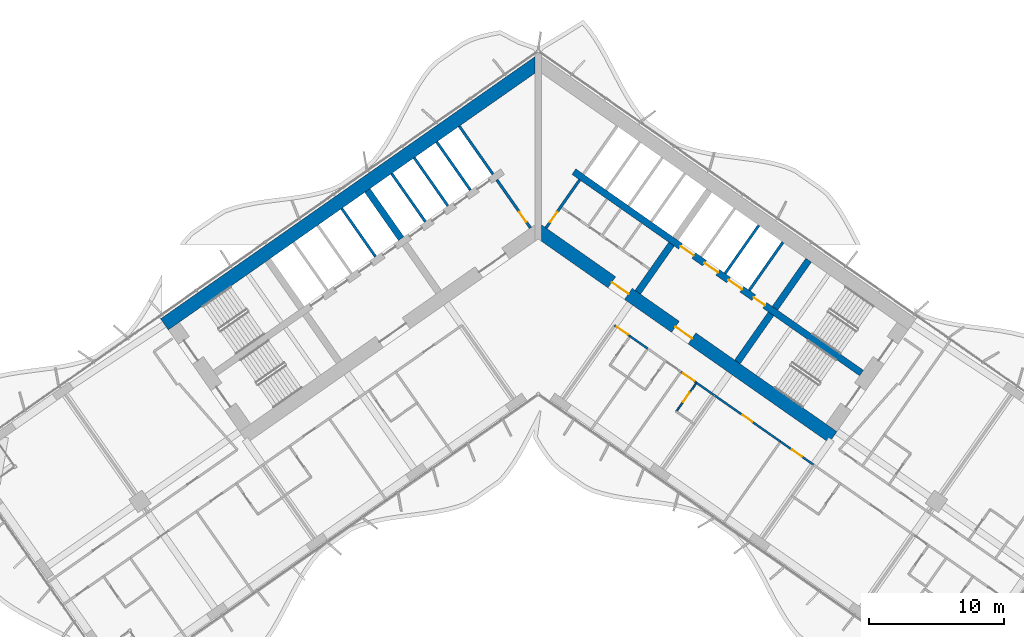
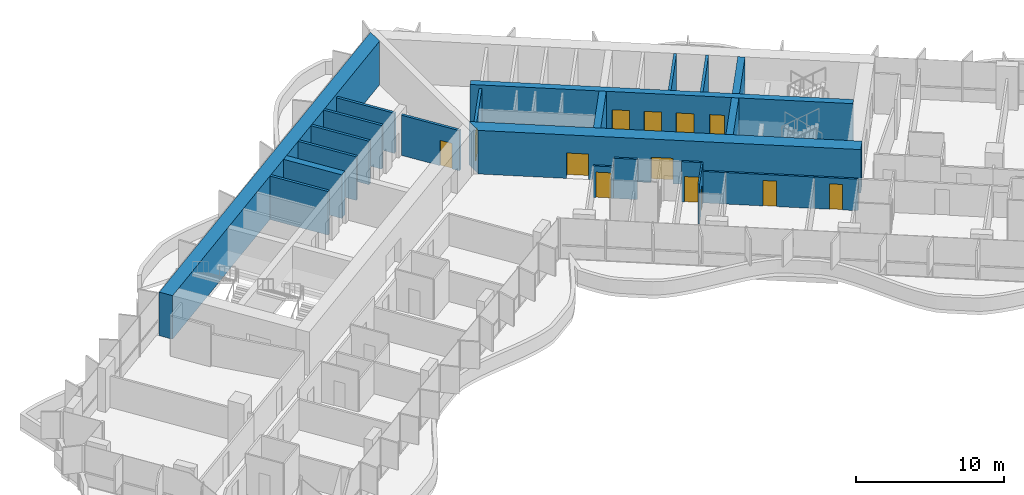
# One storey, part 14 of 23: 23 walls, 13 doors, 13 openings.
"""IFC4 building model written with IfcOpenShell, lengths in metres."""

from ifc_helpers import new_model, si_unit, direction, frame, frame_2d, origin, place, context, subcontext, project, spatial, polyline, rectangle, outline, extrude, material, layer, layer_set, type_object, element, fill, save


model = new_model("IFC4")

# Units and contexts
model_context = context("Model", 3, precision=1e-05, world=origin(), true_north=direction((0.0, 1.0)))
body_context = subcontext(model_context, "Body", "Model", "MODEL_VIEW")
ifc_project = project(units=[si_unit("LENGTHUNIT", "METRE"), si_unit("AREAUNIT", "SQUARE_METRE"), si_unit("VOLUMEUNIT", "CUBIC_METRE"), si_unit("PLANEANGLEUNIT", "RADIAN"), si_unit("MASSUNIT", "GRAM", prefix="KILO")], contexts=[model_context])

# Site, building, storey
site_placement = place(None, origin())
site = spatial("IfcSite", under=ifc_project, at=site_placement, CompositionType="ELEMENT")
building_placement = place(site_placement, origin())
building = spatial("IfcBuilding", under=site, at=building_placement, Name="Tel Ilan Convention Tower", CompositionType="ELEMENT")
storey_placement = place(building_placement, frame((0.0, 0.0, 115.699951171875)))
storey = spatial("IfcBuildingStorey", under=building, at=storey_placement, Name="L25", CompositionType="ELEMENT", Elevation=115.699951171875)

# Wall, opening, door
ifc_material_1 = material(Name="Concrete C30/37", Category="concrete")
ifc_layer_1 = layer(ifc_material_1, 0.199951171875)
ifc_layer_set_1 = layer_set([ifc_layer_1], Name="Core Service Room Wall 200 mm C30/37")
wall_type_1 = type_object("IfcWallType", Name="Core Service Room Wall 200 mm C30/37", PredefinedType="SOLIDWALL", material=ifc_layer_set_1)
wall_1_placement = place(storey_placement, frame((-0.573486328125, -0.401611328125, 0.0), z_axis=(0.0, 0.0, 1.0), x_axis=(-0.57356780395, 0.819158088694, 0.0)))
wall_1 = element("IfcWall", 1, at=wall_1_placement, inside=storey, type_object=wall_type_1, Name="L25 core wall apex-W", PredefinedType="SOLIDWALL", context=body_context, shape_type="SweptSolid", body=[
    extrude(rectangle(XDim=4.35009765625, YDim=0.199951171875, at=frame_2d((2.175048828125, 0.0))), origin(), (0.0, 0.0, 1.0), 3.320068359375),
])
opening_1_placement = place(wall_1_placement, frame((0.550048828125, 0.0, 0.0)))
opening_1 = element("IfcOpeningElement", 2, at=opening_1_placement, cuts=wall_1, Name="Opening CD2002", PredefinedType="OPENING", context=body_context, shape_type="SweptSolid", body=[
    extrude(rectangle(XDim=0.89990234375, YDim=2.10009765625, at=frame_2d((0.449951171875, 1.050048828125))), frame((0.0, 0.10986328125, 0.0), z_axis=(0.0, -1.0, 0.0), x_axis=(1.0, 0.0, 0.0)), (0.0, 0.0, 1.0), 0.219970703125),
])
ifc_material_2 = material(Name="Galvanised Steel Door Leaf", Category="steel")
door_type_1 = type_object("IfcDoorType", Name="Service Room Door 900 x 2100 FD60", OperationType="NOTDEFINED", PredefinedType="DOOR", material=ifc_material_2)
door_1_placement = place(opening_1_placement, origin())
door_1 = element("IfcDoor", 3, at=door_1_placement, inside=storey, type_object=door_type_1, Name="Riser Room door", OperationType="SINGLE_SWING_RIGHT", OverallHeight=2.10009765625, OverallWidth=0.89990234375, PredefinedType="DOOR", context=body_context, shape_type="SweptSolid", body=[
    extrude(rectangle(XDim=0.89990234375, YDim=2.10009765625, at=frame_2d((0.449951171875, 1.050048828125))), frame((0.0, 0.02490234375, 0.0), z_axis=(0.0, -1.0, 0.0), x_axis=(1.0, 0.0, 0.0)), (0.0, 0.0, 1.0), 0.050048828125),
])
fill(opening_1, door_1)

# Wall
wall_2_placement = place(storey_placement, frame((-3.355224609375, 3.5712890625, 0.0), z_axis=(0.0, 0.0, 1.0), x_axis=(-0.57356780395, 0.819158088694, 0.0)))
element("IfcWall", 4, at=wall_2_placement, inside=storey, type_object=wall_type_1, Name="L25 core wall apex-W-b", PredefinedType="SOLIDWALL", context=body_context, shape_type="SweptSolid", body=[
    extrude(rectangle(XDim=4.35009765625, YDim=0.199951171875, at=frame_2d((2.175048828125, 0.0))), origin(), (0.0, 0.0, 1.0), 3.320068359375),
])

# Wall, opening, door
wall_3_placement = place(storey_placement, frame((0.573486328125, -0.401611328125, 0.0), z_axis=(0.0, 0.0, 1.0), x_axis=(0.57356780395, 0.819158088694, 0.0)))
wall_3 = element("IfcWall", 5, at=wall_3_placement, inside=storey, type_object=wall_type_1, Name="L25 core wall apex-E", PredefinedType="SOLIDWALL", context=body_context, shape_type="SweptSolid", body=[
    extrude(rectangle(XDim=4.35009765625, YDim=0.199951171875, at=frame_2d((2.175048828125, 0.0))), origin(), (0.0, 0.0, 1.0), 3.320068359375),
])
opening_2_placement = place(wall_3_placement, frame((0.550048828125, 0.0, 0.0)))
opening_2 = element("IfcOpeningElement", 6, at=opening_2_placement, cuts=wall_3, Name="Opening CD2001", PredefinedType="OPENING", context=body_context, shape_type="SweptSolid", body=[
    extrude(rectangle(XDim=0.89990234375, YDim=2.10009765625, at=frame_2d((0.449951171875, 1.050048828125))), frame((0.0, 0.10986328125, 0.0), z_axis=(0.0, -1.0, 0.0), x_axis=(1.0, 0.0, 0.0)), (0.0, 0.0, 1.0), 0.219970703125),
])
door_2_placement = place(opening_2_placement, origin())
door_2 = element("IfcDoor", 7, at=door_2_placement, inside=storey, type_object=door_type_1, Name="Electrical Room door", OperationType="SINGLE_SWING_RIGHT", OverallHeight=2.10009765625, OverallWidth=0.89990234375, PredefinedType="DOOR", context=body_context, shape_type="SweptSolid", body=[
    extrude(rectangle(XDim=0.89990234375, YDim=2.10009765625, at=frame_2d((0.449951171875, 1.050048828125))), frame((0.0, 0.02490234375, 0.0), z_axis=(0.0, -1.0, 0.0), x_axis=(1.0, 0.0, 0.0)), (0.0, 0.0, 1.0), 0.050048828125),
])
fill(opening_2, door_2)

# Wall
ifc_material_3 = material(Name="Concrete C60/75", Category="concrete")
ifc_layer_2 = layer(ifc_material_3, 1.0)
ifc_layer_set_2 = layer_set([ifc_layer_2], Name="Core Shear Wall 1000 mm C60/75")
wall_type_2 = type_object("IfcWallType", Name="Core Shear Wall 1000 mm C60/75", PredefinedType="SHEAR", material=ifc_layer_set_2)
wall_4_placement = place(storey_placement, frame((0.036865234375, 11.8671875, 0.0), z_axis=(0.0, 0.0, 1.0), x_axis=(-0.819155306259, -0.573571777746, 0.0)))
element("IfcWall", 8, at=wall_4_placement, inside=storey, type_object=wall_type_2, Name="L25 core wall W-back", PredefinedType="SHEAR", context=body_context, shape_type="SweptSolid", body=[
    extrude(outline(polyline([(33.8369140625, 0.5), (0.7001953125, 0.499755859375), (0.0, -0.5), (33.8369140625, -0.5), (33.8369140625, 0.5)])), origin(), (0.0, 0.0, 1.0), 3.60009765625),
])

# Wall, openings, doors
wall_5_placement = place(storey_placement, frame((-0.036865234375, -0.584716796875, 0.0), z_axis=(0.0, 0.0, 1.0), x_axis=(0.819157152511, -0.573569140985, 0.0)))
wall_5 = element("IfcWall", 9, at=wall_5_placement, inside=storey, type_object=wall_type_2, Name="L25 core wall E-front", PredefinedType="SHEAR", context=body_context, shape_type="SweptSolid", body=[
    extrude(outline(polyline([(26.69482421875, 0.499755859375), (0.0, 0.5), (0.7001953125, -0.499755859375), (26.69482421875, -0.500244140625), (26.69482421875, 0.499755859375)])), origin(), (0.0, 0.0, 1.0), 3.60009765625),
])
opening_3_placement = place(wall_5_placement, frame((6.69482421875, 0.0, 0.0)))
opening_3 = element("IfcOpeningElement", 10, at=opening_3_placement, cuts=wall_5, Name="Opening CD2003", PredefinedType="OPENING", context=body_context, shape_type="SweptSolid", body=[
    extrude(rectangle(XDim=1.5, YDim=2.10009765625, at=frame_2d((0.75, 1.050048828125))), frame((0.0, 0.510009765625, 0.0), z_axis=(0.0, -1.0, 0.0), x_axis=(1.0, 0.0, 0.0)), (0.0, 0.0, 1.0), 1.02001953125),
])
opening_4_placement = place(wall_5_placement, frame((12.44482421875, 0.0, 0.0)))
opening_4 = element("IfcOpeningElement", 11, at=opening_4_placement, cuts=wall_5, Name="Opening CD2004", PredefinedType="OPENING", context=body_context, shape_type="SweptSolid", body=[
    extrude(rectangle(XDim=1.5, YDim=2.10009765625, at=frame_2d((0.75, 1.050048828125))), frame((0.0, 0.510009765625, 0.0), z_axis=(0.0, -1.0, 0.0), x_axis=(1.0, 0.0, 0.0)), (0.0, 0.0, 1.0), 1.02001953125),
])
ifc_material_4 = material(Name="Glazed Aluminium Door Leaf", Category="aluminium")
door_type_2 = type_object("IfcDoorType", Name="Lobby Opening Door 1500 x 2100 FD60S", OperationType="NOTDEFINED", PredefinedType="DOOR", material=ifc_material_4)
door_3_placement = place(opening_4_placement, origin())
door_3 = element("IfcDoor", 12, at=door_3_placement, inside=storey, type_object=door_type_2, Name="Firefighting Lobby door", OperationType="DOUBLE_DOOR_SINGLE_SWING", OverallHeight=2.10009765625, OverallWidth=1.5, PredefinedType="DOOR", context=body_context, shape_type="SweptSolid", body=[
    extrude(rectangle(XDim=1.5, YDim=2.10009765625, at=frame_2d((0.75, 1.050048828125))), frame((0.0, 0.02490234375, 0.0), z_axis=(0.0, -1.0, 0.0), x_axis=(1.0, 0.0, 0.0)), (0.0, 0.0, 1.0), 0.050048828125),
])
fill(opening_4, door_3)
ifc_material_5 = material(Name="Laminated Timber Door Leaf", Category="wood")
door_type_3 = type_object("IfcDoorType", Name="Toilet Door 1500 x 2100 FD30S", OperationType="NOTDEFINED", PredefinedType="DOOR", material=ifc_material_5)
door_4_placement = place(opening_3_placement, origin())
door_4 = element("IfcDoor", 13, at=door_4_placement, inside=storey, type_object=door_type_3, Name="WC Lobby door", OperationType="SINGLE_SWING_RIGHT", OverallHeight=2.10009765625, OverallWidth=1.5, PredefinedType="DOOR", context=body_context, shape_type="SweptSolid", body=[
    extrude(rectangle(XDim=1.5, YDim=2.10009765625, at=frame_2d((0.75, 1.050048828125))), frame((0.0, 0.02490234375, 0.0), z_axis=(0.0, -1.0, 0.0), x_axis=(1.0, 0.0, 0.0)), (0.0, 0.0, 1.0), 0.050048828125),
])
fill(opening_3, door_4)

# Walls
ifc_material_6 = material(Name="Concrete C60/75", Category="concrete")
ifc_layer_3 = layer(ifc_material_6, 0.5)
ifc_layer_set_3 = layer_set([ifc_layer_3], Name="Core Shear Wall 500 mm C60/75")
wall_type_3 = type_object("IfcWallType", Name="Core Shear Wall 500 mm C60/75", PredefinedType="SHEAR", material=ifc_layer_set_3)
wall_6_placement = place(storey_placement, frame((-10.154296875, -1.189208984375, 0.0), z_axis=(0.0, 0.0, 1.0), x_axis=(-0.573594173421, 0.819139624372, 0.0)))
element("IfcWall", 14, at=wall_6_placement, inside=storey, type_object=wall_type_3, Name="L25 core wall W-cross1-2", PredefinedType="SHEAR", context=body_context, shape_type="SweptSolid", body=[
    extrude(outline(polyline([(4.349853515625, -0.25), (4.349853515625, 0.25), (-0.000244140625, 0.25), (-0.000244140625, -0.25), (4.349853515625, -0.25)])), origin(), (0.0, 0.0, 1.0), 3.60009765625),
])
wall_7_placement = place(storey_placement, frame((7.372314453125, -5.162109375, 0.0), z_axis=(0.0, 0.0, 1.0), x_axis=(0.573594173421, 0.819139624372, 0.0)))
element("IfcWall", 15, at=wall_7_placement, inside=storey, type_object=wall_type_3, Name="L25 core wall E-cross1-1", PredefinedType="SHEAR", context=body_context, shape_type="SweptSolid", body=[
    extrude(outline(polyline([(0.0, 0.25), (0.0, -0.250244140625), (4.349853515625, -0.25), (4.349853515625, 0.25), (0.0, 0.25)])), origin(), (0.0, 0.0, 1.0), 3.60009765625),
])
wall_8_placement = place(storey_placement, frame((14.74462890625, -10.324462890625, 0.0), z_axis=(0.0, 0.0, 1.0), x_axis=(0.57356780395, 0.819158088694, 0.0)))
element("IfcWall", 16, at=wall_8_placement, inside=storey, type_object=wall_type_3, Name="L25 core wall E-cross2-1", PredefinedType="SHEAR", context=body_context, shape_type="SweptSolid", body=[
    extrude(outline(polyline([(0.0, 0.25), (0.0, -0.25), (4.35009765625, -0.250244140625), (4.35009765625, 0.25), (0.0, 0.25)])), origin(), (0.0, 0.0, 1.0), 3.60009765625),
])
wall_9_placement = place(storey_placement, frame((17.526611328125, -6.3515625, 0.0), z_axis=(0.0, 0.0, 1.0), x_axis=(0.573530143085, 0.819184457233, 0.0)))
element("IfcWall", 17, at=wall_9_placement, inside=storey, type_object=wall_type_3, Name="L25 core wall E-cross2-2", PredefinedType="SHEAR", context=body_context, shape_type="SweptSolid", body=[
    extrude(outline(polyline([(4.35009765625, -0.250244140625), (4.35009765625, 0.249755859375), (0.0, 0.25), (0.0, -0.25), (4.35009765625, -0.250244140625)])), origin(), (0.0, 0.0, 1.0), 3.60009765625),
])

# Wall, openings, doors
wall_10_placement = place(storey_placement, frame((2.638427734375, 3.76806640625, 0.0), z_axis=(0.0, 0.0, 1.0), x_axis=(0.819148977158, -0.573580816643, 0.0)))
wall_10 = element("IfcWall", 18, at=wall_10_placement, inside=storey, type_object=wall_type_3, Name="L25 core wall E-spine", PredefinedType="SHEAR", context=body_context, shape_type="SweptSolid", body=[
    extrude(outline(polyline([(0.0, 0.25), (0.0, -0.25), (26.0, -0.249755859375), (26.0, 0.250244140625), (0.0, 0.25)])), origin(), (0.0, 0.0, 1.0), 3.60009765625),
])
opening_5_placement = place(wall_10_placement, frame((9.637451171875, 0.0, 0.0)))
opening_5 = element("IfcOpeningElement", 19, at=opening_5_placement, cuts=wall_10, Name="Opening LD2001", PredefinedType="OPENING", context=body_context, shape_type="SweptSolid", body=[
    extrude(rectangle(XDim=1.199951171875, YDim=2.10009765625, at=frame_2d((0.60009765625, 1.050048828125))), frame((0.0, 0.260009765625, 0.0), z_axis=(0.0, -1.0, 0.0), x_axis=(1.0, 0.0, 0.0)), (0.0, 0.0, 1.0), 0.52001953125),
])
opening_6_placement = place(wall_10_placement, frame((11.8125, 0.0, 0.0)))
opening_6 = element("IfcOpeningElement", 20, at=opening_6_placement, cuts=wall_10, Name="Opening LD2002", PredefinedType="OPENING", context=body_context, shape_type="SweptSolid", body=[
    extrude(rectangle(XDim=1.199951171875, YDim=2.10009765625, at=frame_2d((0.60009765625, 1.050048828125))), frame((0.0, 0.260009765625, 0.0), z_axis=(0.0, -1.0, 0.0), x_axis=(1.0, 0.0, 0.0)), (0.0, 0.0, 1.0), 0.52001953125),
])
opening_7_placement = place(wall_10_placement, frame((13.987548828125, 0.0, 0.0)))
opening_7 = element("IfcOpeningElement", 21, at=opening_7_placement, cuts=wall_10, Name="Opening LD2003", PredefinedType="OPENING", context=body_context, shape_type="SweptSolid", body=[
    extrude(rectangle(XDim=1.199951171875, YDim=2.10009765625, at=frame_2d((0.60009765625, 1.050048828125))), frame((0.0, 0.260009765625, 0.0), z_axis=(0.0, -1.0, 0.0), x_axis=(1.0, 0.0, 0.0)), (0.0, 0.0, 1.0), 0.52001953125),
])
opening_8_placement = place(wall_10_placement, frame((16.262451171875, 0.0, 0.0)))
opening_8 = element("IfcOpeningElement", 22, at=opening_8_placement, cuts=wall_10, Name="Opening CD2007", PredefinedType="OPENING", context=body_context, shape_type="SweptSolid", body=[
    extrude(rectangle(XDim=1.0, YDim=2.10009765625, at=frame_2d((0.5, 1.050048828125))), frame((0.0, 0.260009765625, 0.0), z_axis=(0.0, -1.0, 0.0), x_axis=(1.0, 0.0, 0.0)), (0.0, 0.0, 1.0), 0.52001953125),
])
ifc_material_7 = material(Name="Stainless Steel Sliding Door Leaf", Category="steel")
door_type_4 = type_object("IfcDoorType", Name="Lift Landing Door 1200 x 2100 FD120", OperationType="NOTDEFINED", PredefinedType="DOOR", material=ifc_material_7)
door_5_placement = place(opening_5_placement, origin())
door_5 = element("IfcDoor", 23, at=door_5_placement, inside=storey, type_object=door_type_4, Name="Lift FL1 landing door", OperationType="SLIDING_TO_LEFT", OverallHeight=2.10009765625, OverallWidth=1.199951171875, PredefinedType="DOOR", context=body_context, shape_type="SweptSolid", body=[
    extrude(rectangle(XDim=1.199951171875, YDim=2.10009765625, at=frame_2d((0.60009765625, 1.050048828125))), frame((0.0, 0.02490234375, 0.0), z_axis=(0.0, -1.0, 0.0), x_axis=(1.0, 0.0, 0.0)), (0.0, 0.0, 1.0), 0.050048828125),
])
fill(opening_5, door_5)
door_6_placement = place(opening_6_placement, origin())
door_6 = element("IfcDoor", 24, at=door_6_placement, inside=storey, type_object=door_type_4, Name="Lift FL2 landing door", OperationType="SLIDING_TO_RIGHT", OverallHeight=2.10009765625, OverallWidth=1.199951171875, PredefinedType="DOOR", context=body_context, shape_type="SweptSolid", body=[
    extrude(rectangle(XDim=1.199951171875, YDim=2.10009765625, at=frame_2d((0.60009765625, 1.050048828125))), frame((0.0, 0.02490234375, 0.0), z_axis=(0.0, -1.0, 0.0), x_axis=(1.0, 0.0, 0.0)), (0.0, 0.0, 1.0), 0.050048828125),
])
fill(opening_6, door_6)
door_7_placement = place(opening_7_placement, origin())
door_7 = element("IfcDoor", 25, at=door_7_placement, inside=storey, type_object=door_type_4, Name="Lift FL3 landing door", OperationType="SLIDING_TO_LEFT", OverallHeight=2.10009765625, OverallWidth=1.199951171875, PredefinedType="DOOR", context=body_context, shape_type="SweptSolid", body=[
    extrude(rectangle(XDim=1.199951171875, YDim=2.10009765625, at=frame_2d((0.60009765625, 1.050048828125))), frame((0.0, 0.02490234375, 0.0), z_axis=(0.0, -1.0, 0.0), x_axis=(1.0, 0.0, 0.0)), (0.0, 0.0, 1.0), 0.050048828125),
])
fill(opening_7, door_7)
ifc_material_8 = material(Name="Galvanised Steel Door Leaf", Category="steel")
door_type_5 = type_object("IfcDoorType", Name="Service Room Door 1000 x 2100 FD60", OperationType="NOTDEFINED", PredefinedType="DOOR", material=ifc_material_8)
door_8_placement = place(opening_8_placement, origin())
door_8 = element("IfcDoor", 26, at=door_8_placement, inside=storey, type_object=door_type_5, Name="Plant Room door", OperationType="SINGLE_SWING_RIGHT", OverallHeight=2.10009765625, OverallWidth=1.0, PredefinedType="DOOR", context=body_context, shape_type="SweptSolid", body=[
    extrude(rectangle(XDim=1.0, YDim=2.10009765625, at=frame_2d((0.5, 1.050048828125))), frame((0.0, 0.02490234375, 0.0), z_axis=(0.0, -1.0, 0.0), x_axis=(1.0, 0.0, 0.0)), (0.0, 0.0, 1.0), 0.050048828125),
])
fill(opening_8, door_8)

# Wall, opening, door
ifc_material_9 = material(Name="Plasterboard on Steel Studs", Category="steel")
ifc_layer_4 = layer(ifc_material_9, 0.14990234375)
ifc_layer_set_4 = layer_set([ifc_layer_4], Name="Fire-rated Partition 150 EI 60")
wall_type_4 = type_object("IfcWallType", Name="Fire-rated Partition 150 EI 60", PredefinedType="PARTITIONING", material=ifc_layer_set_4)
wall_11_placement = place(storey_placement, frame((6.79931640625, -8.423095703125, 0.0), z_axis=(0.0, 0.0, 1.0), x_axis=(-0.819207359301, 0.573497430219, 0.0)))
wall_11 = element("IfcWall", 27, at=wall_11_placement, inside=storey, type_object=wall_type_4, Name="Partition 007", PredefinedType="PARTITIONING", context=body_context, shape_type="SweptSolid", body=[
    extrude(rectangle(XDim=1.40087890625, YDim=0.14990234375, at=frame_2d((0.700439453125, 0.0))), origin(), (0.0, 0.0, 1.0), 2.60009765625),
])
opening_9_placement = place(wall_11_placement, frame((0.200927734375, 0.0, 0.0)))
opening_9 = element("IfcOpeningElement", 28, at=opening_9_placement, cuts=wall_11, Name="Opening L24-014", PredefinedType="OPENING", context=body_context, shape_type="SweptSolid", body=[
    extrude(rectangle(XDim=1.0, YDim=2.10009765625, at=frame_2d((0.5, 1.050048828125))), frame((0.0, 0.0849609375, 0.0), z_axis=(0.0, -1.0, 0.0), x_axis=(1.0, 0.0, 0.0)), (0.0, 0.0, 1.0), 0.169921875),
])
ifc_material_10 = material(Name="Timber Door Leaf in Steel Frame", Category="steel")
door_type_6 = type_object("IfcDoorType", Name="Hotel Room Entrance Fire Door 1000x2100", OperationType="NOTDEFINED", PredefinedType="DOOR", material=ifc_material_10)
door_9_placement = place(opening_9_placement, origin())
door_9 = element("IfcDoor", 29, at=door_9_placement, inside=storey, type_object=door_type_6, Name="Door L24-014", OperationType="SINGLE_SWING_LEFT", OverallHeight=2.10009765625, OverallWidth=1.0, PredefinedType="DOOR", context=body_context, shape_type="SweptSolid", body=[
    extrude(rectangle(XDim=1.0, YDim=2.10009765625, at=frame_2d((0.5, 1.050048828125))), frame((0.0, 0.02490234375, 0.0), z_axis=(0.0, -1.0, 0.0), x_axis=(1.0, 0.0, 0.0)), (0.0, 0.0, 1.0), 0.050048828125),
])
fill(opening_9, door_9)

# Wall
wall_12_placement = place(storey_placement, frame((8.110595703125, -9.341552734375, 0.0), z_axis=(0.0, 0.0, 1.0), x_axis=(-0.8190674132, 0.573697283098, 0.0)))
element("IfcWall", 30, at=wall_12_placement, inside=storey, type_object=wall_type_4, Name="Partition 008", PredefinedType="PARTITIONING", context=body_context, shape_type="SweptSolid", body=[
    extrude(rectangle(XDim=1.60400390625, YDim=0.14990234375, at=frame_2d((0.802001953125, 0.0))), origin(), (0.0, 0.0, 1.0), 3.320068359375),
])

# Wall, opening, door
wall_13_placement = place(storey_placement, frame((11.714111328125, -11.86474609375, 0.0), z_axis=(0.0, 0.0, 1.0), x_axis=(-0.81914197737, 0.573590813132, 0.0)))
wall_13 = element("IfcWall", 31, at=wall_13_placement, inside=storey, type_object=wall_type_4, Name="Partition 011", PredefinedType="PARTITIONING", context=body_context, shape_type="SweptSolid", body=[
    extrude(rectangle(XDim=1.40283203125, YDim=0.14990234375, at=frame_2d((0.701416015625, 0.0))), origin(), (0.0, 0.0, 1.0), 3.320068359375),
])
opening_10_placement = place(wall_13_placement, frame((0.200927734375, 0.0, 0.0)))
opening_10 = element("IfcOpeningElement", 32, at=opening_10_placement, cuts=wall_13, Name="Opening L24-018", PredefinedType="OPENING", context=body_context, shape_type="SweptSolid", body=[
    extrude(rectangle(XDim=1.0, YDim=2.10009765625, at=frame_2d((0.5, 1.050048828125))), frame((0.0, 0.0849609375, 0.0), z_axis=(0.0, -1.0, 0.0), x_axis=(1.0, 0.0, 0.0)), (0.0, 0.0, 1.0), 0.169921875),
])
door_10_placement = place(opening_10_placement, origin())
door_10 = element("IfcDoor", 33, at=door_10_placement, inside=storey, type_object=door_type_6, Name="Door L24-018", OperationType="SINGLE_SWING_LEFT", OverallHeight=2.10009765625, OverallWidth=1.0, PredefinedType="DOOR", context=body_context, shape_type="SweptSolid", body=[
    extrude(rectangle(XDim=1.0, YDim=2.10009765625, at=frame_2d((0.5, 1.050048828125))), frame((0.0, 0.02490234375, 0.0), z_axis=(0.0, -1.0, 0.0), x_axis=(1.0, 0.0, 0.0)), (0.0, 0.0, 1.0), 0.050048828125),
])
fill(opening_10, door_10)

# Wall
wall_14_placement = place(storey_placement, frame((13.025634765625, -12.782958984375, 0.0), z_axis=(0.0, 0.0, 1.0), x_axis=(-0.819189013667, 0.573523634986, 0.0)))
element("IfcWall", 34, at=wall_14_placement, inside=storey, type_object=wall_type_4, Name="Partition 012", PredefinedType="PARTITIONING", context=body_context, shape_type="SweptSolid", body=[
    extrude(rectangle(XDim=1.60400390625, YDim=0.14990234375, at=frame_2d((0.802001953125, 0.0))), origin(), (0.0, 0.0, 1.0), 2.60009765625),
])

# Wall, opening, door
wall_15_placement = place(storey_placement, frame((17.940673828125, -16.224365234375, 0.0), z_axis=(0.0, 0.0, 1.0), x_axis=(-0.819165052243, 0.573557858619, 0.0)))
wall_15 = element("IfcWall", 35, at=wall_15_placement, inside=storey, type_object=wall_type_4, Name="Partition 013", PredefinedType="PARTITIONING", context=body_context, shape_type="SweptSolid", body=[
    extrude(rectangle(XDim=6.00390625, YDim=0.14990234375, at=frame_2d((3.001953125, 0.0))), origin(), (0.0, 0.0, 1.0), 2.60009765625),
])
opening_11_placement = place(wall_15_placement, frame((2.552001953125, 0.0, 0.0)))
opening_11 = element("IfcOpeningElement", 36, at=opening_11_placement, cuts=wall_15, Name="Opening L24-019", PredefinedType="OPENING", context=body_context, shape_type="SweptSolid", body=[
    extrude(rectangle(XDim=0.89990234375, YDim=2.10009765625, at=frame_2d((0.449951171875, 1.050048828125))), frame((0.0, 0.0849609375, 0.0), z_axis=(0.0, -1.0, 0.0), x_axis=(1.0, 0.0, 0.0)), (0.0, 0.0, 1.0), 0.169921875),
])
ifc_material_11 = material(Name="Timber Door Leaf in Steel Frame", Category="steel")
door_type_7 = type_object("IfcDoorType", Name="Room Fire Door 900x2100", OperationType="NOTDEFINED", PredefinedType="DOOR", material=ifc_material_11)
door_11_placement = place(opening_11_placement, origin())
door_11 = element("IfcDoor", 37, at=door_11_placement, inside=storey, type_object=door_type_7, Name="Door L24-019", OperationType="SINGLE_SWING_LEFT", OverallHeight=2.10009765625, OverallWidth=0.89990234375, PredefinedType="DOOR", context=body_context, shape_type="SweptSolid", body=[
    extrude(rectangle(XDim=0.89990234375, YDim=2.10009765625, at=frame_2d((0.449951171875, 1.050048828125))), frame((0.0, 0.02490234375, 0.0), z_axis=(0.0, -1.0, 0.0), x_axis=(1.0, 0.0, 0.0)), (0.0, 0.0, 1.0), 0.050048828125),
])
fill(opening_11, door_11)

wall_16_placement = place(storey_placement, frame((20.39794921875, -17.9453125, 0.0), z_axis=(0.0, 0.0, 1.0), x_axis=(-0.819128818764, 0.573609604409, 0.0)))
wall_16 = element("IfcWall", 38, at=wall_16_placement, inside=storey, type_object=wall_type_4, Name="Partition 014", PredefinedType="PARTITIONING", context=body_context, shape_type="SweptSolid", body=[
    extrude(rectangle(XDim=3.004150390625, YDim=0.14990234375, at=frame_2d((1.501953125, 0.0))), origin(), (0.0, 0.0, 1.0), 2.60009765625),
])
opening_12_placement = place(wall_16_placement, frame((1.052001953125, 0.0, 0.0)))
opening_12 = element("IfcOpeningElement", 39, at=opening_12_placement, cuts=wall_16, Name="Opening L24-020", PredefinedType="OPENING", context=body_context, shape_type="SweptSolid", body=[
    extrude(rectangle(XDim=0.89990234375, YDim=2.10009765625, at=frame_2d((0.449951171875, 1.050048828125))), frame((0.0, 0.0849609375, 0.0), z_axis=(0.0, -1.0, 0.0), x_axis=(1.0, 0.0, 0.0)), (0.0, 0.0, 1.0), 0.169921875),
])
door_12_placement = place(opening_12_placement, origin())
door_12 = element("IfcDoor", 40, at=door_12_placement, inside=storey, type_object=door_type_7, Name="Door L24-020", OperationType="SINGLE_SWING_LEFT", OverallHeight=2.10009765625, OverallWidth=0.89990234375, PredefinedType="DOOR", context=body_context, shape_type="SweptSolid", body=[
    extrude(rectangle(XDim=0.89990234375, YDim=2.10009765625, at=frame_2d((0.449951171875, 1.050048828125))), frame((0.0, 0.02490234375, 0.0), z_axis=(0.0, -1.0, 0.0), x_axis=(1.0, 0.0, 0.0)), (0.0, 0.0, 1.0), 0.050048828125),
])
fill(opening_12, door_12)

# Walls
ifc_material_12 = material(Name="Concrete C30/37", Category="concrete")
ifc_layer_5 = layer(ifc_material_12, 0.199951171875)
ifc_layer_set_5 = layer_set([ifc_layer_5], Name="Lift Shaft Wall 200 mm C30/37")
wall_type_5 = type_object("IfcWallType", Name="Lift Shaft Wall 200 mm C30/37", PredefinedType="SOLIDWALL", material=ifc_layer_set_5)
wall_17_placement = place(storey_placement, frame((-5.0244140625, 2.402587890625, 0.0), z_axis=(0.0, 0.0, 1.0), x_axis=(-0.573530143085, 0.819184457233, 0.0)))
element("IfcWall", 41, at=wall_17_placement, inside=storey, type_object=wall_type_5, Name="L25 core wall bank-W1-p0", PredefinedType="SOLIDWALL", context=body_context, shape_type="SweptSolid", body=[
    extrude(rectangle(XDim=4.35009765625, YDim=0.199951171875, at=frame_2d((2.175048828125, 0.0))), origin(), (0.0, 0.0, 1.0), 3.60009765625),
])
for number, where, z_axis, x_axis, name in (
    (42, (-6.693359375, 1.234130859375, 0.0), (0.0, 0.0, 1.0), (-0.573594173421, 0.819139624372, 0.0), "L25 core wall bank-W1-p1"),
    (43, (-8.3623046875, 0.0654296875, 0.0), (0.0, 0.0, 1.0), (-0.573594173421, 0.819139624372, 0.0), "L25 core wall bank-W1-p2"),
    (44, (-12.05859375, -2.52294921875, 0.0), (0.0, 0.0, 1.0), (-0.573594173421, 0.819139624372, 0.0), "L25 core wall bank-W2-p0"),
):
    element("IfcWall", number, at=place(storey_placement, frame(where, z_axis=z_axis, x_axis=x_axis)), inside=storey, type_object=wall_type_5, Name=name, PredefinedType="SOLIDWALL", context=body_context, shape_type="SweptSolid", body=[
        extrude(rectangle(XDim=4.349853515625, YDim=0.199951171875, at=frame_2d((2.1748046875, 0.0))), origin(), (0.0, 0.0, 1.0), 3.60009765625),
    ])
wall_18_placement = place(storey_placement, frame((13.84033203125, -3.7705078125, 0.0), z_axis=(0.0, 0.0, 1.0), x_axis=(0.57356780395, 0.819158088694, 0.0)))
element("IfcWall", 45, at=wall_18_placement, inside=storey, type_object=wall_type_5, Name="L25 core wall bank-E2-p1", PredefinedType="SOLIDWALL", context=body_context, shape_type="SweptSolid", body=[
    extrude(rectangle(XDim=4.35009765625, YDim=0.199951171875, at=frame_2d((2.175048828125, 0.0))), origin(), (0.0, 0.0, 1.0), 3.60009765625),
])
wall_19_placement = place(storey_placement, frame((15.6220703125, -5.017822265625, 0.0), z_axis=(0.0, 0.0, 1.0), x_axis=(0.573594173421, 0.819139624372, 0.0)))
element("IfcWall", 46, at=wall_19_placement, inside=storey, type_object=wall_type_5, Name="L25 core wall bank-E2-p2", PredefinedType="SOLIDWALL", context=body_context, shape_type="SweptSolid", body=[
    extrude(rectangle(XDim=4.349853515625, YDim=0.199951171875, at=frame_2d((2.1748046875, 0.0))), origin(), (0.0, 0.0, 1.0), 3.60009765625),
])

# Wall, opening, door
ifc_material_13 = material(Name="Plasterboard on Steel Studs", Category="steel")
ifc_layer_6 = layer(ifc_material_13, 0.1201171875)
ifc_layer_set_6 = layer_set([ifc_layer_6], Name="Moisture-resistant Partition 120")
wall_type_6 = type_object("IfcWallType", Name="Moisture-resistant Partition 120", PredefinedType="PARTITIONING", material=ifc_layer_set_6)
wall_20_placement = place(storey_placement, frame((11.71240234375, -11.863525390625, 0.0), z_axis=(0.0, 0.0, 1.0), x_axis=(-0.573537965655, -0.819178980414, 0.0)))
wall_20 = element("IfcWall", 47, at=wall_20_placement, inside=storey, type_object=wall_type_6, Name="Partition 054", PredefinedType="PARTITIONING", context=body_context, shape_type="SweptSolid", body=[
    extrude(rectangle(XDim=2.60009765625, YDim=0.1201171875, at=frame_2d((1.300048828125, 0.0))), origin(), (0.0, 0.0, 1.0), 3.320068359375),
])
opening_13_placement = place(wall_20_placement, frame((0.875, 0.0, 0.0)))
opening_13 = element("IfcOpeningElement", 48, at=opening_13_placement, cuts=wall_20, Name="Opening L24-017", PredefinedType="OPENING", context=body_context, shape_type="SweptSolid", body=[
    extrude(rectangle(XDim=0.85009765625, YDim=2.050048828125, at=frame_2d((0.425048828125, 1.02490234375))), frame((0.0, 0.070068359375, 0.0), z_axis=(0.0, -1.0, 0.0), x_axis=(1.0, 0.0, 0.0)), (0.0, 0.0, 1.0), 0.14013671875),
])
ifc_material_14 = material(Name="Timber Door Leaf in Steel Frame", Category="steel")
door_type_8 = type_object("IfcDoorType", Name="Bathroom Timber Door 850x2050", OperationType="NOTDEFINED", PredefinedType="DOOR", material=ifc_material_14)
door_13_placement = place(opening_13_placement, origin())
door_13 = element("IfcDoor", 49, at=door_13_placement, inside=storey, type_object=door_type_8, Name="Door L24-017", OperationType="SINGLE_SWING_RIGHT", OverallHeight=2.050048828125, OverallWidth=0.85009765625, PredefinedType="DOOR", context=body_context, shape_type="SweptSolid", body=[
    extrude(rectangle(XDim=0.85009765625, YDim=2.050048828125, at=frame_2d((0.425048828125, 1.02490234375))), frame((0.0, 0.02490234375, 0.0), z_axis=(0.0, -1.0, 0.0), x_axis=(1.0, 0.0, 0.0)), (0.0, 0.0, 1.0), 0.050048828125),
])
fill(opening_13, door_13)

save(model, "model.ifc")
